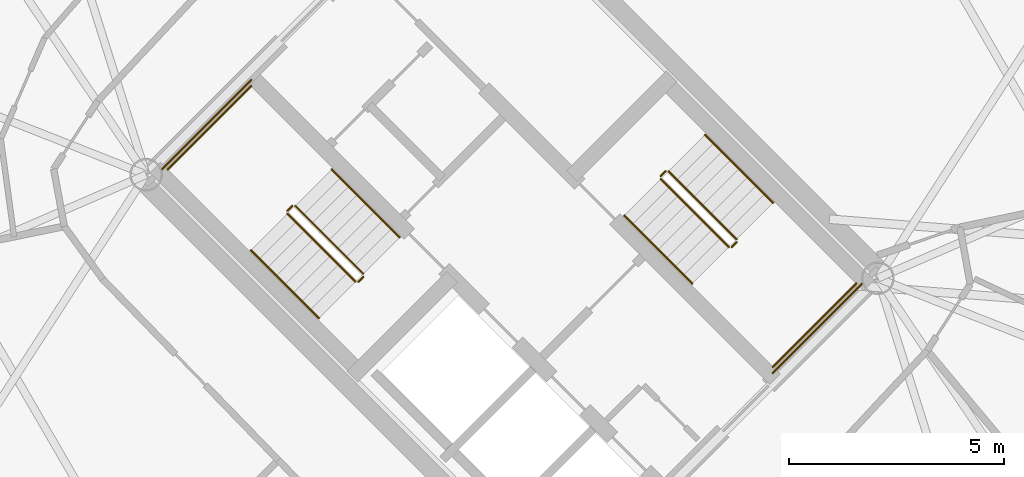
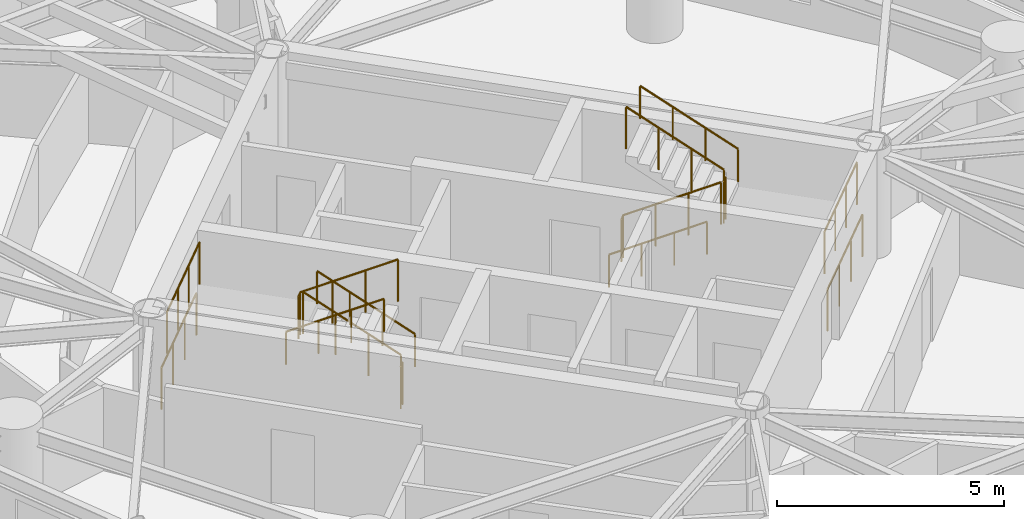
# One storey, part 17 of 17: 16 railings.
"""IFC4 building model written with IfcOpenShell, lengths in metres."""

from ifc_helpers import new_model, si_unit, direction, frame, origin, origin_2d, place, context, subcontext, project, spatial, circle, extrude, material, type_object, element, save


model = new_model("IFC4")

# Units and contexts
model_context = context("Model", 3, precision=1e-05, world=origin(), true_north=direction((0.0, 1.0)))
body_context = subcontext(model_context, "Body", "Model", "MODEL_VIEW")
ifc_project = project(units=[si_unit("LENGTHUNIT", "METRE"), si_unit("AREAUNIT", "SQUARE_METRE"), si_unit("VOLUMEUNIT", "CUBIC_METRE"), si_unit("PLANEANGLEUNIT", "RADIAN"), si_unit("MASSUNIT", "GRAM", prefix="KILO")], contexts=[model_context])

# Site, building, storey
site_placement = place(None, origin())
site = spatial("IfcSite", under=ifc_project, at=site_placement, CompositionType="ELEMENT")
building_placement = place(site_placement, origin())
building = spatial("IfcBuilding", under=site, at=building_placement, Name="Cununo Teusaquillo Station Towers", CompositionType="ELEMENT")
storey_placement = place(building_placement, frame((0.0, 0.0, 174.8798828125)))
storey = spatial("IfcBuildingStorey", under=building, at=storey_placement, Name="L55", CompositionType="ELEMENT", Elevation=174.8798828125)

# Railings
ifc_material_1 = material(Name="Steel EN 10025-2 S355J2", Category="steel")
railing_type_1 = type_object("IfcRailingType", Name="RL-INT-GUARD", PredefinedType="GUARDRAIL", material=ifc_material_1)
railing_1_placement = place(storey_placement, frame((54.03515625, 23.39697265625, 0.161865234375)))
element("IfcRailing", 1, at=railing_1_placement, inside=storey, type_object=railing_type_1, Name="L55 ST-T2-1 stair guard 1", PredefinedType="GUARDRAIL", context=body_context, shape_type="SweptSolid", body=[
    extrude(circle(Radius=0.02392578125, at=origin_2d()), frame((0.0, 0.0, 1.1259765625), z_axis=(-0.612361259024, 0.612361259024, 0.500027376144), x_axis=(-0.707106781187, -0.707106781187, 0.0)), (0.0, 0.0, 1.0), 2.586181640625),
    extrude(circle(Radius=0.02099609375, at=origin_2d()), origin(), (0.0, 0.0, 1.0), 1.101806640625),
    extrude(circle(Radius=0.02099609375, at=origin_2d()), frame((-0.52783203125, 0.52783203125, 0.43115234375)), (0.0, 0.0, 1.0), 1.101806640625),
    extrude(circle(Radius=0.02099609375, at=origin_2d()), frame((-1.055908203125, 1.055908203125, 0.862060546875)), (0.0, 0.0, 1.0), 1.101806640625),
    extrude(circle(Radius=0.02099609375, at=origin_2d()), frame((-1.583740234375, 1.583740234375, 1.293212890625)), (0.0, 0.0, 1.0), 1.101806640625),
])
railing_2_placement = place(storey_placement, frame((52.380615234375, 24.980712890625, 1.455078125)))
element("IfcRailing", 2, at=railing_2_placement, inside=storey, type_object=railing_type_1, Name="L55 ST-T2-1 stair guard 2", PredefinedType="GUARDRAIL", context=body_context, shape_type="SweptSolid", body=[
    extrude(circle(Radius=0.02392578125, at=origin_2d()), frame((0.0, 0.0, 1.1259765625), z_axis=(-0.7078691598, -0.706343579714, 0.0), x_axis=(0.706343579714, -0.7078691598, 0.0)), (0.0, 0.0, 1.0), 0.159912109375),
    extrude(circle(Radius=0.02099609375, at=origin_2d()), origin(), (0.0, 0.0, 1.0), 1.101806640625),
    extrude(circle(Radius=0.02099609375, at=origin_2d()), frame((-0.11328125, -0.113037109375, 0.0)), (0.0, 0.0, 1.0), 1.101806640625),
])
railing_3_placement = place(storey_placement, frame((51.426025390625, 27.77392578125, 1.455078125)))
element("IfcRailing", 3, at=railing_3_placement, inside=storey, type_object=railing_type_1, Name="L55 ST-T2-1 stair guard 3", PredefinedType="GUARDRAIL", context=body_context, shape_type="SweptSolid", body=[
    extrude(circle(Radius=0.02392578125, at=origin_2d()), frame((0.0, 0.0, 1.1259765625), z_axis=(-0.707106781187, -0.707106781187, 0.0), x_axis=(0.707106781187, -0.707106781187, 0.0)), (0.0, 0.0, 1.0), 2.760009765625),
    extrude(circle(Radius=0.02099609375, at=origin_2d()), origin(), (0.0, 0.0, 1.0), 1.101806640625),
    extrude(circle(Radius=0.02099609375, at=origin_2d()), frame((-0.650634765625, -0.650634765625, 0.0)), (0.0, 0.0, 1.0), 1.101806640625),
    extrude(circle(Radius=0.02099609375, at=origin_2d()), frame((-1.301025390625, -1.301025390625, 0.0)), (0.0, 0.0, 1.0), 1.101806640625),
    extrude(circle(Radius=0.02099609375, at=origin_2d()), frame((-1.95166015625, -1.95166015625, 0.0)), (0.0, 0.0, 1.0), 1.101806640625),
])
railing_4_placement = place(storey_placement, frame((52.267333984375, 24.796875, 1.61669921875)))
element("IfcRailing", 4, at=railing_4_placement, inside=storey, type_object=railing_type_1, Name="L55 ST-T2-1 stair guard 4", PredefinedType="GUARDRAIL", context=body_context, shape_type="SweptSolid", body=[
    extrude(circle(Radius=0.02392578125, at=origin_2d()), frame((0.0, 0.0, 1.1259765625), z_axis=(0.612391349474, -0.612296961165, 0.500069261639), x_axis=(0.707052281454, 0.707161276719, 0.0)), (0.0, 0.0, 1.0), 2.586669921875),
    extrude(circle(Radius=0.02099609375, at=origin_2d()), origin(), (0.0, 0.0, 1.0), 1.101806640625),
    extrude(circle(Radius=0.02099609375, at=origin_2d()), frame((0.528076171875, -0.52783203125, 0.43115234375)), (0.0, 0.0, 1.0), 1.101806640625),
    extrude(circle(Radius=0.02099609375, at=origin_2d()), frame((1.055908203125, -1.055908203125, 0.8623046875)), (0.0, 0.0, 1.0), 1.101806640625),
    extrude(circle(Radius=0.02099609375, at=origin_2d()), frame((1.583984375, -1.583740234375, 1.29345703125)), (0.0, 0.0, 1.0), 1.101806640625),
])
railing_5_placement = place(storey_placement, frame((54.03515625, 23.326171875, 0.0)))
element("IfcRailing", 5, at=railing_5_placement, inside=storey, type_object=railing_type_1, Name="L55 ST-T2-1 stair guard 5", PredefinedType="GUARDRAIL", context=body_context, shape_type="SweptSolid", body=[
    extrude(circle(Radius=0.02392578125, at=origin_2d()), frame((0.0, 0.0, 1.1259765625), z_axis=(-0.707106781187, -0.707106781187, 0.0), x_axis=(0.707106781187, -0.707106781187, 0.0)), (0.0, 0.0, 1.0), 0.159912109375),
    extrude(circle(Radius=0.02099609375, at=origin_2d()), origin(), (0.0, 0.0, 1.0), 1.101806640625),
    extrude(circle(Radius=0.02099609375, at=origin_2d()), frame((-0.113037109375, -0.113037109375, 0.0)), (0.0, 0.0, 1.0), 1.101806640625),
])
railing_6_placement = place(storey_placement, frame((51.426025390625, 27.915283203125, 0.0)))
element("IfcRailing", 6, at=railing_6_placement, inside=storey, type_object=railing_type_1, Name="L55 ST-T2-1 stair guard 6", PredefinedType="GUARDRAIL", context=body_context, shape_type="SweptSolid", body=[
    extrude(circle(Radius=0.02392578125, at=origin_2d()), frame((0.0, 0.0, 1.1259765625), z_axis=(-0.707106781187, -0.707106781187, 0.0), x_axis=(0.707106781187, -0.707106781187, 0.0)), (0.0, 0.0, 1.0), 2.9599609375),
    extrude(circle(Radius=0.02099609375, at=origin_2d()), origin(), (0.0, 0.0, 1.0), 1.101806640625),
    extrude(circle(Radius=0.02099609375, at=origin_2d()), frame((-0.69775390625, -0.69775390625, 0.0)), (0.0, 0.0, 1.0), 1.101806640625),
    extrude(circle(Radius=0.02099609375, at=origin_2d()), frame((-1.395263671875, -1.395263671875, 0.0)), (0.0, 0.0, 1.0), 1.101806640625),
    extrude(circle(Radius=0.02099609375, at=origin_2d()), frame((-2.093017578125, -2.093017578125, 0.0)), (0.0, 0.0, 1.0), 1.101806640625),
])
railing_7_placement = place(storey_placement, frame((60.96484375, 25.60302734375, 0.161865234375)))
element("IfcRailing", 7, at=railing_7_placement, inside=storey, type_object=railing_type_1, Name="L55 ST-T2-2 stair guard 1", PredefinedType="GUARDRAIL", context=body_context, shape_type="SweptSolid", body=[
    extrude(circle(Radius=0.02392578125, at=origin_2d()), frame((0.0, 0.0, 1.1259765625), z_axis=(0.612361259024, -0.612361259024, 0.500027376144), x_axis=(0.707106781187, 0.707106781187, 0.0)), (0.0, 0.0, 1.0), 2.586181640625),
    extrude(circle(Radius=0.02099609375, at=origin_2d()), origin(), (0.0, 0.0, 1.0), 1.101806640625),
    extrude(circle(Radius=0.02099609375, at=origin_2d()), frame((0.52783203125, -0.52783203125, 0.43115234375)), (0.0, 0.0, 1.0), 1.101806640625),
    extrude(circle(Radius=0.02099609375, at=origin_2d()), frame((1.055908203125, -1.055908203125, 0.862060546875)), (0.0, 0.0, 1.0), 1.101806640625),
    extrude(circle(Radius=0.02099609375, at=origin_2d()), frame((1.583740234375, -1.583740234375, 1.293212890625)), (0.0, 0.0, 1.0), 1.101806640625),
])
railing_8_placement = place(storey_placement, frame((62.619384765625, 24.019287109375, 1.455078125)))
element("IfcRailing", 8, at=railing_8_placement, inside=storey, type_object=railing_type_1, Name="L55 ST-T2-2 stair guard 2", PredefinedType="GUARDRAIL", context=body_context, shape_type="SweptSolid", body=[
    extrude(circle(Radius=0.02392578125, at=origin_2d()), frame((0.0, 0.0, 1.1259765625), z_axis=(0.7078691598, 0.706343579714, 0.0), x_axis=(-0.706343579714, 0.7078691598, 0.0)), (0.0, 0.0, 1.0), 0.159912109375),
    extrude(circle(Radius=0.02099609375, at=origin_2d()), origin(), (0.0, 0.0, 1.0), 1.101806640625),
    extrude(circle(Radius=0.02099609375, at=origin_2d()), frame((0.11328125, 0.113037109375, 0.0)), (0.0, 0.0, 1.0), 1.101806640625),
])
railing_9_placement = place(storey_placement, frame((63.573974609375, 21.22607421875, 1.455078125)))
element("IfcRailing", 9, at=railing_9_placement, inside=storey, type_object=railing_type_1, Name="L55 ST-T2-2 stair guard 3", PredefinedType="GUARDRAIL", context=body_context, shape_type="SweptSolid", body=[
    extrude(circle(Radius=0.02392578125, at=origin_2d()), frame((0.0, 0.0, 1.1259765625), z_axis=(0.707106781187, 0.707106781187, 0.0), x_axis=(-0.707106781187, 0.707106781187, 0.0)), (0.0, 0.0, 1.0), 2.760009765625),
    extrude(circle(Radius=0.02099609375, at=origin_2d()), origin(), (0.0, 0.0, 1.0), 1.101806640625),
    extrude(circle(Radius=0.02099609375, at=origin_2d()), frame((0.650634765625, 0.650634765625, 0.0)), (0.0, 0.0, 1.0), 1.101806640625),
    extrude(circle(Radius=0.02099609375, at=origin_2d()), frame((1.301025390625, 1.301025390625, 0.0)), (0.0, 0.0, 1.0), 1.101806640625),
    extrude(circle(Radius=0.02099609375, at=origin_2d()), frame((1.95166015625, 1.95166015625, 0.0)), (0.0, 0.0, 1.0), 1.101806640625),
])
railing_10_placement = place(storey_placement, frame((62.732666015625, 24.203125, 1.61669921875)))
element("IfcRailing", 10, at=railing_10_placement, inside=storey, type_object=railing_type_1, Name="L55 ST-T2-2 stair guard 4", PredefinedType="GUARDRAIL", context=body_context, shape_type="SweptSolid", body=[
    extrude(circle(Radius=0.02392578125, at=origin_2d()), frame((0.0, 0.0, 1.1259765625), z_axis=(-0.612391349474, 0.612296961165, 0.500069261639), x_axis=(-0.707052281454, -0.707161276719, 0.0)), (0.0, 0.0, 1.0), 2.586669921875),
    extrude(circle(Radius=0.02099609375, at=origin_2d()), origin(), (0.0, 0.0, 1.0), 1.101806640625),
    extrude(circle(Radius=0.02099609375, at=origin_2d()), frame((-0.528076171875, 0.52783203125, 0.43115234375)), (0.0, 0.0, 1.0), 1.101806640625),
    extrude(circle(Radius=0.02099609375, at=origin_2d()), frame((-1.055908203125, 1.055908203125, 0.8623046875)), (0.0, 0.0, 1.0), 1.101806640625),
    extrude(circle(Radius=0.02099609375, at=origin_2d()), frame((-1.583984375, 1.583740234375, 1.29345703125)), (0.0, 0.0, 1.0), 1.101806640625),
])
railing_11_placement = place(storey_placement, frame((60.96484375, 25.673828125, 0.0)))
element("IfcRailing", 11, at=railing_11_placement, inside=storey, type_object=railing_type_1, Name="L55 ST-T2-2 stair guard 5", PredefinedType="GUARDRAIL", context=body_context, shape_type="SweptSolid", body=[
    extrude(circle(Radius=0.02392578125, at=origin_2d()), frame((0.0, 0.0, 1.1259765625), z_axis=(0.707106781187, 0.707106781187, 0.0), x_axis=(-0.707106781187, 0.707106781187, 0.0)), (0.0, 0.0, 1.0), 0.159912109375),
    extrude(circle(Radius=0.02099609375, at=origin_2d()), origin(), (0.0, 0.0, 1.0), 1.101806640625),
    extrude(circle(Radius=0.02099609375, at=origin_2d()), frame((0.113037109375, 0.113037109375, 0.0)), (0.0, 0.0, 1.0), 1.101806640625),
])
railing_12_placement = place(storey_placement, frame((63.573974609375, 21.084716796875, 0.0)))
element("IfcRailing", 12, at=railing_12_placement, inside=storey, type_object=railing_type_1, Name="L55 ST-T2-2 stair guard 6", PredefinedType="GUARDRAIL", context=body_context, shape_type="SweptSolid", body=[
    extrude(circle(Radius=0.02392578125, at=origin_2d()), frame((0.0, 0.0, 1.1259765625), z_axis=(0.707106781187, 0.707106781187, 0.0), x_axis=(-0.707106781187, 0.707106781187, 0.0)), (0.0, 0.0, 1.0), 2.9599609375),
    extrude(circle(Radius=0.02099609375, at=origin_2d()), origin(), (0.0, 0.0, 1.0), 1.101806640625),
    extrude(circle(Radius=0.02099609375, at=origin_2d()), frame((0.69775390625, 0.69775390625, 0.0)), (0.0, 0.0, 1.0), 1.101806640625),
    extrude(circle(Radius=0.02099609375, at=origin_2d()), frame((1.395263671875, 1.395263671875, 0.0)), (0.0, 0.0, 1.0), 1.101806640625),
    extrude(circle(Radius=0.02099609375, at=origin_2d()), frame((2.093017578125, 2.093017578125, 0.0)), (0.0, 0.0, 1.0), 1.101806640625),
])
ifc_material_2 = material(Name="Steel EN 10025-2 S355J2", Category="steel")
railing_type_2 = type_object("IfcRailingType", Name="RL-INT-HRAIL", PredefinedType="HANDRAIL", material=ifc_material_2)
railing_13_placement = place(storey_placement, frame((54.8837890625, 24.245361328125, 0.161865234375)))
element("IfcRailing", 13, at=railing_13_placement, inside=storey, type_object=railing_type_2, Name="L55 ST-T2-1 stair handrail 1", PredefinedType="HANDRAIL", context=body_context, shape_type="SweptSolid", body=[
    extrude(circle(Radius=0.02392578125, at=origin_2d()), frame((0.0, 0.0, 0.8759765625), z_axis=(-0.612384857071, 0.612384857071, 0.499969572735), x_axis=(-0.707106781187, -0.707106781187, 0.0)), (0.0, 0.0, 1.0), 2.586669921875),
    extrude(circle(Radius=0.02099609375, at=origin_2d()), origin(), (0.0, 0.0, 1.0), 0.851806640625),
    extrude(circle(Radius=0.02099609375, at=origin_2d()), frame((-0.528076171875, 0.528076171875, 0.43115234375)), (0.0, 0.0, 1.0), 0.851806640625),
    extrude(circle(Radius=0.02099609375, at=origin_2d()), frame((-1.055908203125, 1.055908203125, 0.862060546875)), (0.0, 0.0, 1.0), 0.851806640625),
    extrude(circle(Radius=0.02099609375, at=origin_2d()), frame((-1.583984375, 1.583984375, 1.293212890625)), (0.0, 0.0, 1.0), 0.851806640625),
])
railing_14_placement = place(storey_placement, frame((51.4189453125, 23.948486328125, 1.61669921875)))
element("IfcRailing", 14, at=railing_14_placement, inside=storey, type_object=railing_type_2, Name="L55 ST-T2-1 stair handrail 2", PredefinedType="HANDRAIL", context=body_context, shape_type="SweptSolid", body=[
    extrude(circle(Radius=0.02392578125, at=origin_2d()), frame((0.0, 0.0, 0.8759765625), z_axis=(0.612355957468, -0.612355957468, 0.500040361077), x_axis=(0.707106781187, 0.707106781187, 0.0)), (0.0, 0.0, 1.0), 2.586669921875),
    extrude(circle(Radius=0.02099609375, at=origin_2d()), origin(), (0.0, 0.0, 1.0), 0.851806640625),
    extrude(circle(Radius=0.02099609375, at=origin_2d()), frame((0.528076171875, -0.528076171875, 0.43115234375)), (0.0, 0.0, 1.0), 0.851806640625),
    extrude(circle(Radius=0.02099609375, at=origin_2d()), frame((1.055908203125, -1.055908203125, 0.8623046875)), (0.0, 0.0, 1.0), 0.851806640625),
    extrude(circle(Radius=0.02099609375, at=origin_2d()), frame((1.583984375, -1.583984375, 1.29345703125)), (0.0, 0.0, 1.0), 0.851806640625),
])
railing_15_placement = place(storey_placement, frame((60.1162109375, 24.754638671875, 0.161865234375)))
element("IfcRailing", 15, at=railing_15_placement, inside=storey, type_object=railing_type_2, Name="L55 ST-T2-2 stair handrail 1", PredefinedType="HANDRAIL", context=body_context, shape_type="SweptSolid", body=[
    extrude(circle(Radius=0.02392578125, at=origin_2d()), frame((0.0, 0.0, 0.8759765625), z_axis=(0.612384857071, -0.612384857071, 0.499969572735), x_axis=(0.707106781187, 0.707106781187, 0.0)), (0.0, 0.0, 1.0), 2.586669921875),
    extrude(circle(Radius=0.02099609375, at=origin_2d()), origin(), (0.0, 0.0, 1.0), 0.851806640625),
    extrude(circle(Radius=0.02099609375, at=origin_2d()), frame((0.528076171875, -0.528076171875, 0.43115234375)), (0.0, 0.0, 1.0), 0.851806640625),
    extrude(circle(Radius=0.02099609375, at=origin_2d()), frame((1.055908203125, -1.055908203125, 0.862060546875)), (0.0, 0.0, 1.0), 0.851806640625),
    extrude(circle(Radius=0.02099609375, at=origin_2d()), frame((1.583984375, -1.583984375, 1.293212890625)), (0.0, 0.0, 1.0), 0.851806640625),
])
railing_16_placement = place(storey_placement, frame((63.5810546875, 25.051513671875, 1.61669921875)))
element("IfcRailing", 16, at=railing_16_placement, inside=storey, type_object=railing_type_2, Name="L55 ST-T2-2 stair handrail 2", PredefinedType="HANDRAIL", context=body_context, shape_type="SweptSolid", body=[
    extrude(circle(Radius=0.02392578125, at=origin_2d()), frame((0.0, 0.0, 0.8759765625), z_axis=(-0.612355957468, 0.612355957468, 0.500040361077), x_axis=(-0.707106781187, -0.707106781187, 0.0)), (0.0, 0.0, 1.0), 2.586669921875),
    extrude(circle(Radius=0.02099609375, at=origin_2d()), origin(), (0.0, 0.0, 1.0), 0.851806640625),
    extrude(circle(Radius=0.02099609375, at=origin_2d()), frame((-0.528076171875, 0.528076171875, 0.43115234375)), (0.0, 0.0, 1.0), 0.851806640625),
    extrude(circle(Radius=0.02099609375, at=origin_2d()), frame((-1.055908203125, 1.055908203125, 0.8623046875)), (0.0, 0.0, 1.0), 0.851806640625),
    extrude(circle(Radius=0.02099609375, at=origin_2d()), frame((-1.583984375, 1.583984375, 1.29345703125)), (0.0, 0.0, 1.0), 0.851806640625),
])

save(model, "model.ifc")
